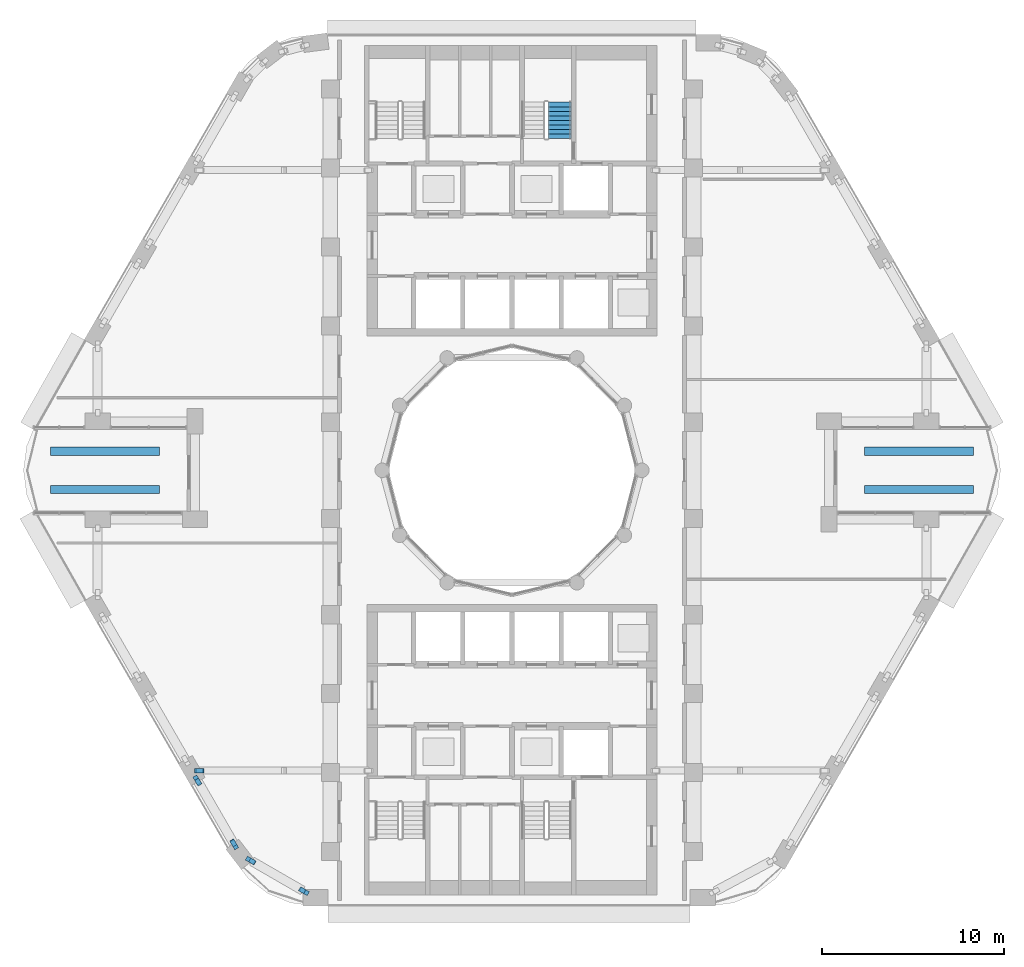
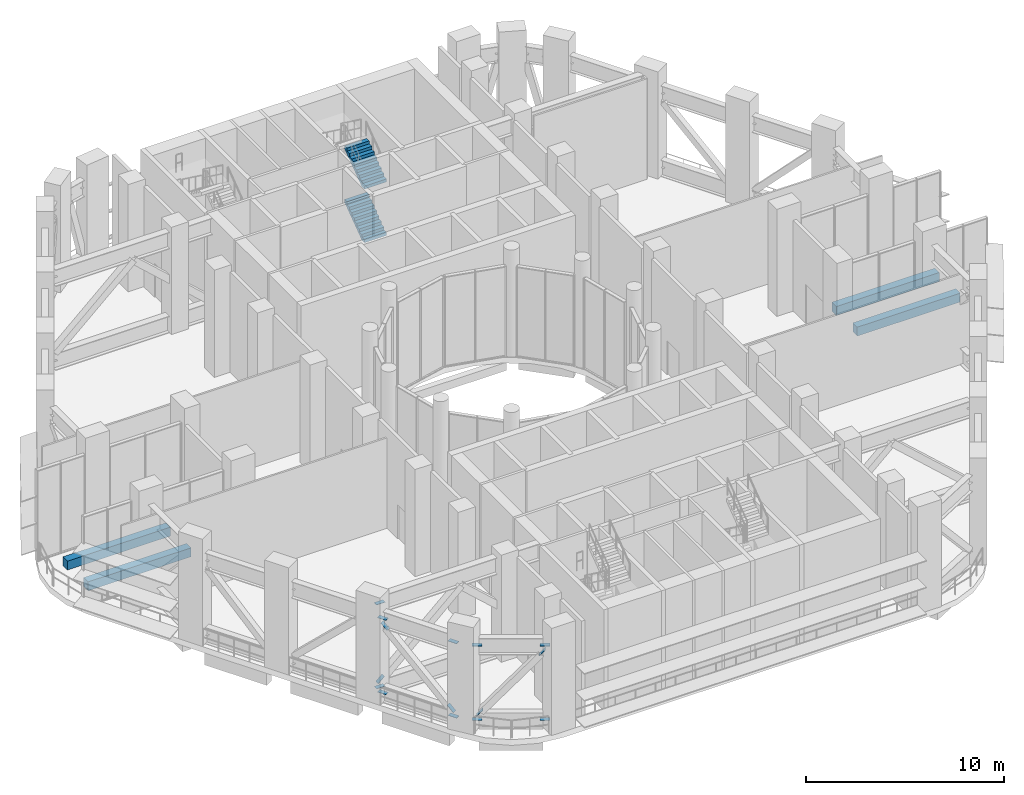
# One storey, part 12 of 21: 19 discrete accessories, 2 stair flights, 1 element without a shape of its own.
"""IFC4 building model written with IfcOpenShell, lengths in metres."""

from ifc_helpers import new_model, si_unit, direction, frame, origin, origin_2d, place, context, subcontext, project, spatial, polyline, rectangle, outline, extrude, material, material_profile, profile_set, type_object, element, aggregate, save


model = new_model("IFC4")

# Units and contexts
model_context = context("Model", 3, precision=1e-05, world=origin(), true_north=direction((0.0, 1.0)))
body_context = subcontext(model_context, "Body", "Model", "MODEL_VIEW")
ifc_project = project(units=[si_unit("LENGTHUNIT", "METRE"), si_unit("AREAUNIT", "SQUARE_METRE"), si_unit("VOLUMEUNIT", "CUBIC_METRE"), si_unit("PLANEANGLEUNIT", "RADIAN"), si_unit("MASSUNIT", "GRAM", prefix="KILO")], contexts=[model_context])

# Site, building, storey
site_placement = place(None, origin())
site = spatial("IfcSite", under=ifc_project, at=site_placement, CompositionType="ELEMENT")
building_placement = place(site_placement, origin())
building = spatial("IfcBuilding", under=site, at=building_placement, Name="Nakaniwa Court", CompositionType="ELEMENT")
storey_placement = place(building_placement, frame((0.0, 0.0, 120.60009765625)))
storey = spatial("IfcBuildingStorey", under=building, at=storey_placement, Name="S2", CompositionType="ELEMENT", Elevation=120.60009765625)

# Stair, stair flights
ifc_material_1 = material(Name="Concrete C80/100", Category="concrete")
stair_type = type_object("IfcStairType", Name="Dog leg stair 1300 wide 36 risers", PredefinedType="HALF_TURN_STAIR", material=ifc_material_1)
stair_placement = place(storey_placement, origin())
stair = element("IfcStair", 1, at=stair_placement, inside=storey, type_object=stair_type, Name="S2 Stair ST2", PredefinedType="HALF_TURN_STAIR")
stair_flight_type = type_object("IfcStairFlightType", Name="Stair flight 1300 wide 9 risers", PredefinedType="STRAIGHT", material=ifc_material_1)
stair_flight_1_placement = place(storey_placement, frame((82.625, 98.27490234375, 0.0), z_axis=(0.0, 0.0, 1.0), x_axis=(0.0, 1.0, 0.0)))
stair_flight_1 = element("IfcStairFlight", 2, at=stair_flight_1_placement, type_object=stair_flight_type, Name="ST2 flight 1", NumberOfRisers=9, NumberOfTreads=8, PredefinedType="STRAIGHT", RiserHeight=0.183333333, TreadLength=0.25, context=body_context, shape_type="SweptSolid", body=[
    extrude(outline(polyline([(0.0, 0.0), (0.0, 0.026123046875), (0.0, 0.052490234375), (0.0, 0.07861328125), (0.0, 0.104736328125), (0.0, 0.130859375), (0.0, 0.1572265625), (0.0, 0.183349609375), (0.25, 0.183349609375), (0.25, 0.36669921875), (0.5, 0.36669921875), (0.5, 0.550048828125), (0.75, 0.550048828125), (0.75, 0.7333984375), (1.0, 0.7333984375), (1.0, 0.916748046875), (1.25, 0.916748046875), (1.25, 1.10009765625), (1.5, 1.10009765625), (1.5, 1.283447265625), (1.75, 1.283447265625), (1.75, 1.466552734375), (2.0, 1.466552734375), (2.0, 1.64990234375), (2.0, 1.59716796875), (2.0, 1.54443359375), (2.0, 1.49169921875), (2.0, 1.43896484375), (2.0, 1.38623046875), (2.0, 1.33349609375), (2.0, 1.28076171875), (0.25341796875, 0.0), (0.0, 0.0)])), frame((0.0, 0.64990234375, 0.0), z_axis=(0.0, -1.0, 0.0), x_axis=(1.0, 0.0, 0.0)), (0.0, 0.0, 1.0), 1.300048828125),
])
stair_flight_2_placement = place(storey_placement, frame((82.625, 98.27490234375, 3.2998046875), z_axis=(0.0, 0.0, 1.0), x_axis=(0.0, 1.0, 0.0)))
stair_flight_2 = element("IfcStairFlight", 3, at=stair_flight_2_placement, type_object=stair_flight_type, Name="ST2 flight 3", NumberOfRisers=9, NumberOfTreads=8, PredefinedType="STRAIGHT", RiserHeight=0.183333333, TreadLength=0.25, context=body_context, shape_type="SweptSolid", body=[
    extrude(outline(polyline([(0.0, 0.0), (0.0, 0.026123046875), (0.0, 0.052490234375), (0.0, 0.07861328125), (0.0, 0.104736328125), (0.0, 0.130859375), (0.0, 0.1572265625), (0.0, 0.183349609375), (0.25, 0.183349609375), (0.25, 0.36669921875), (0.5, 0.36669921875), (0.5, 0.550048828125), (0.75, 0.550048828125), (0.75, 0.7333984375), (1.0, 0.7333984375), (1.0, 0.916748046875), (1.25, 0.916748046875), (1.25, 1.10009765625), (1.5, 1.10009765625), (1.5, 1.283447265625), (1.75, 1.283447265625), (1.75, 1.466552734375), (2.0, 1.466552734375), (2.0, 1.64990234375), (2.0, 1.59716796875), (2.0, 1.54443359375), (2.0, 1.49169921875), (2.0, 1.43896484375), (2.0, 1.38623046875), (2.0, 1.33349609375), (2.0, 1.28076171875), (0.25341796875, 0.0), (0.0, 0.0)])), frame((0.0, 0.64990234375, 0.0), z_axis=(0.0, -1.0, 0.0), x_axis=(1.0, 0.0, 0.0)), (0.0, 0.0, 1.0), 1.300048828125),
])
aggregate(stair, [stair_flight_1, stair_flight_2])

# Discrete accessories
ifc_material_2 = material(Name="Precast concrete C40/50 planter with planted soil", Category="concrete")
discrete_accessory_type_1 = type_object("IfcDiscreteAccessoryType", Name="Planter box charcoal concrete", PredefinedType="USERDEFINED", material=ifc_material_2)
for number, where, z_axis, x_axis, name in (
    (4, (57.591552734375, 78.949951171875, 0.0), (0.0, 0.0, 1.0), (1.0, 0.0, 0.0), "S2 sky garden PLANTER 1.1"),
    (5, (57.591552734375, 81.050048828125, 0.0), (0.0, 0.0, 1.0), (1.0, 0.0, 0.0), "S2 sky garden PLANTER 1.2"),
    (6, (102.408447265625, 78.949951171875, 0.0), (0.0, 0.0, 1.0), (1.0, 0.0, 0.0), "S2 sky garden PLANTER 2.1"),
    (7, (102.408447265625, 81.050048828125, 0.0), (0.0, 0.0, 1.0), (1.0, 0.0, 0.0), "S2 sky garden PLANTER 2.2"),
):
    element("IfcDiscreteAccessory", number, at=place(storey_placement, frame(where, z_axis=z_axis, x_axis=x_axis)), inside=storey, type_object=discrete_accessory_type_1, Name=name, ObjectType="PLANTER", PredefinedType="USERDEFINED", context=body_context, shape_type="SweptSolid", body=[
        extrude(rectangle(XDim=6.0, YDim=0.449951171875, at=origin_2d()), origin(), (0.0, 0.0, 1.0), 0.550048828125),
    ])
ifc_material_3 = material(Name="Steel Grade 350", Category="steel")
ifc_material_profile = material_profile(ifc_material_3, rectangle(XDim=0.25, YDim=0.02001953125, at=origin_2d()), Name="Truss end gusset plate 250x20")
ifc_profile_set = profile_set([ifc_material_profile], Name="Steel Grade 350")
discrete_accessory_type_2 = type_object("IfcDiscreteAccessoryType", Name="Truss end gusset plate 250x20", PredefinedType="BRACKET", material=ifc_profile_set)
for number, where, z_axis, x_axis, name in (
    (8, (62.779541015625, 62.726806640625, 0.5048828125), (-0.499919672301, 0.866071776036, 0.0), (-0.866071776036, -0.499919672301, 0.0), "Gusset plate GU-246"),
    (9, (64.589599609375, 59.591796875, 0.5048828125), (0.499919672301, -0.866071776036, 0.0), (0.866071776036, 0.499919672301, 0.0), "Gusset plate GU-247"),
    (10, (62.779541015625, 62.726806640625, 5.0849609375), (-0.499919672301, 0.866071776036, 0.0), (-0.866071776036, -0.499919672301, 0.0), "Gusset plate GU-248"),
    (11, (64.589599609375, 59.591796875, 5.0849609375), (0.499919672301, -0.866071776036, 0.0), (0.866071776036, 0.499919672301, 0.0), "Gusset plate GU-249"),
    (12, (62.80859375, 62.676513671875, 4.47607421875), (-0.360909462909, 0.624632209826, 0.692516398384), (-0.865858556509, -0.50028887667, 0.0), "Gusset plate GU-250"),
    (13, (64.560302734375, 59.64208984375, 1.11376953125), (0.360909462909, -0.624632209826, -0.692516398384), (0.865858556509, 0.50028887667, 0.0), "Gusset plate GU-251"),
    (14, (65.8037109375, 58.396728515625, 0.5048828125), (-0.866071776036, 0.499919672301, 0.0), (-0.499919672301, -0.866071776036, 0.0), "Gusset plate GU-252"),
):
    element("IfcDiscreteAccessory", number, at=place(storey_placement, frame(where, z_axis=z_axis, x_axis=x_axis)), inside=storey, type_object=discrete_accessory_type_2, Name=name, PredefinedType="BRACKET", context=body_context, shape_type="SweptSolid", body=[
        extrude(rectangle(XDim=0.25, YDim=0.02001953125, at=origin_2d()), origin(), (0.0, 0.0, 1.0), 0.5),
    ])
discrete_accessory_1_placement = place(storey_placement, frame((68.345458984375, 56.92919921875, 0.5048828125), z_axis=(0.865949687125, -0.500131122175, 0.0), x_axis=(0.500131122175, 0.865949687125, 0.0)))
element("IfcDiscreteAccessory", 15, at=discrete_accessory_1_placement, inside=storey, type_object=discrete_accessory_type_2, Name="Gusset plate GU-253", PredefinedType="BRACKET", context=body_context, shape_type="SweptSolid", body=[
    extrude(rectangle(XDim=0.25, YDim=0.02001953125, at=origin_2d()), origin(), (0.0, 0.0, 1.0), 0.499755859375),
])
discrete_accessory_2_placement = place(storey_placement, frame((65.8037109375, 58.396728515625, 5.0849609375), z_axis=(-0.866071776036, 0.499919672301, 0.0), x_axis=(-0.499919672301, -0.866071776036, 0.0)))
element("IfcDiscreteAccessory", 16, at=discrete_accessory_2_placement, inside=storey, type_object=discrete_accessory_type_2, Name="Gusset plate GU-254", PredefinedType="BRACKET", context=body_context, shape_type="SweptSolid", body=[
    extrude(rectangle(XDim=0.25, YDim=0.02001953125, at=origin_2d()), origin(), (0.0, 0.0, 1.0), 0.5),
])
discrete_accessory_3_placement = place(storey_placement, frame((68.345458984375, 56.92919921875, 5.0849609375), z_axis=(0.865949687125, -0.500131122175, 0.0), x_axis=(0.500131122175, 0.865949687125, 0.0)))
element("IfcDiscreteAccessory", 17, at=discrete_accessory_3_placement, inside=storey, type_object=discrete_accessory_type_2, Name="Gusset plate GU-255", PredefinedType="BRACKET", context=body_context, shape_type="SweptSolid", body=[
    extrude(rectangle(XDim=0.25, YDim=0.02001953125, at=origin_2d()), origin(), (0.0, 0.0, 1.0), 0.499755859375),
])
discrete_accessory_4_placement = place(storey_placement, frame((65.844482421875, 58.373046875, 1.124267578125), z_axis=(-0.560800285385, 0.324083019578, -0.761887942111), x_axis=(-0.500352922439, -0.865821548015, 0.0)))
element("IfcDiscreteAccessory", 18, at=discrete_accessory_4_placement, inside=storey, type_object=discrete_accessory_type_2, Name="Gusset plate GU-256", PredefinedType="BRACKET", context=body_context, shape_type="SweptSolid", body=[
    extrude(rectangle(XDim=0.25, YDim=0.02001953125, at=origin_2d()), origin(), (0.0, 0.0, 1.0), 0.500244140625),
])
for number, where, z_axis, x_axis, name in (
    (19, (68.3046875, 56.95263671875, 4.465576171875), (0.560554225608, -0.323734713918, 0.762217026284), (0.500114213461, 0.865959452569, 0.0), "Gusset plate GU-257"),
    (20, (63.024169921875, 63.462890625, 0.511962890625), (-1.0, 0.0, 0.0), (0.0, -1.0, 0.0), "Gusset plate GU-335"),
    (21, (63.024169921875, 63.462890625, 5.677978515625), (-1.0, 0.0, 0.0), (0.0, -1.0, 0.0), "Gusset plate GU-336"),
):
    element("IfcDiscreteAccessory", number, at=place(storey_placement, frame(where, z_axis=z_axis, x_axis=x_axis)), inside=storey, type_object=discrete_accessory_type_2, Name=name, PredefinedType="BRACKET", context=body_context, shape_type="SweptSolid", body=[
        extrude(rectangle(XDim=0.25, YDim=0.02001953125, at=origin_2d()), origin(), (0.0, 0.0, 1.0), 0.5),
    ])
discrete_accessory_5_placement = place(storey_placement, frame((62.985107421875, 63.462890625, 1.124755859375), z_axis=(-0.740470272515, 0.0, -0.672089112784), x_axis=(0.0, -1.0, 0.0)))
element("IfcDiscreteAccessory", 22, at=discrete_accessory_5_placement, inside=storey, type_object=discrete_accessory_type_2, Name="Gusset plate GU-338", PredefinedType="BRACKET", context=body_context, shape_type="SweptSolid", body=[
    extrude(rectangle(XDim=0.25, YDim=0.02001953125, at=origin_2d()), origin(), (0.0, 0.0, 1.0), 0.499755859375),
])

save(model, "model.ifc")
